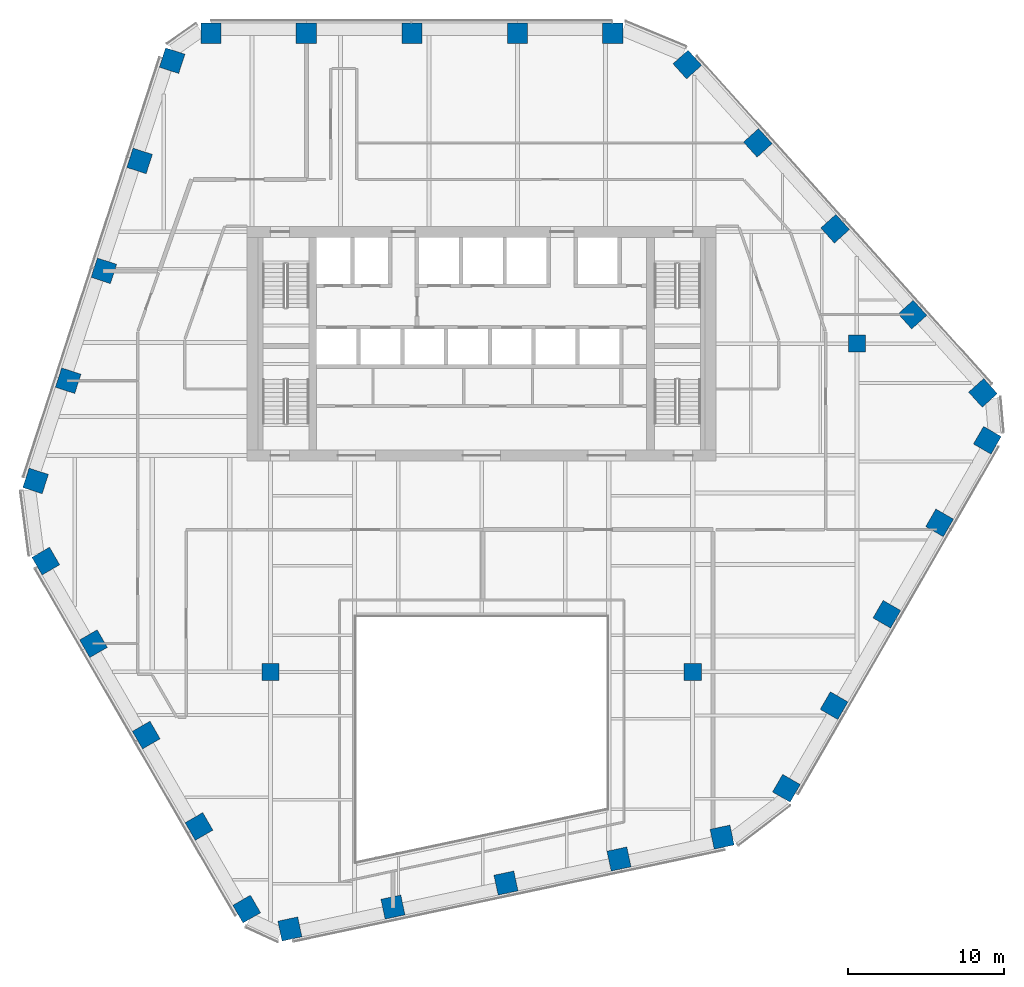
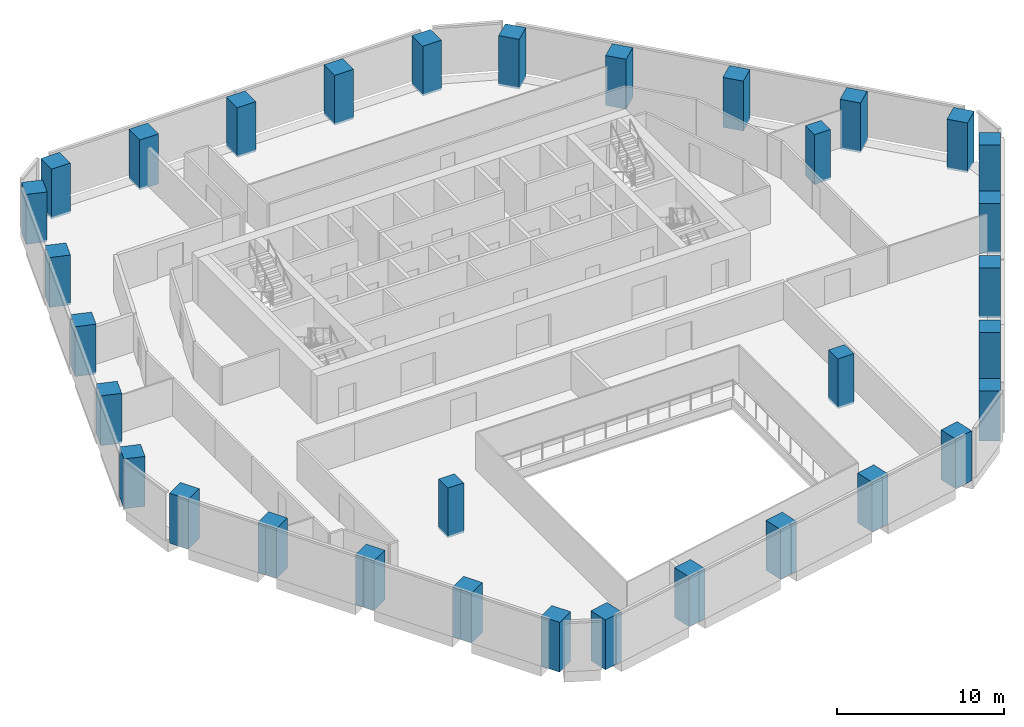
# One storey, part 1 of 16: 33 columns.
"""IFC4 building model written with IfcOpenShell, lengths in metres."""

from ifc_helpers import new_model, si_unit, direction, frame, origin, origin_2d, place, context, subcontext, project, spatial, rectangle, extrude, material, material_profile, profile_set, type_object, element, save


model = new_model("IFC4")

# Units and contexts
model_context = context("Model", 3, precision=1e-05, world=origin(), true_north=direction((0.0, 1.0)))
body_context = subcontext(model_context, "Body", "Model", "MODEL_VIEW")
ifc_project = project(units=[si_unit("LENGTHUNIT", "METRE"), si_unit("AREAUNIT", "SQUARE_METRE"), si_unit("VOLUMEUNIT", "CUBIC_METRE"), si_unit("PLANEANGLEUNIT", "RADIAN"), si_unit("MASSUNIT", "GRAM", prefix="KILO")], contexts=[model_context])

# Site, building, storey
site_placement = place(None, origin())
site = spatial("IfcSite", under=ifc_project, at=site_placement, CompositionType="ELEMENT")
building_placement = place(site_placement, origin())
building = spatial("IfcBuilding", under=site, at=building_placement, Name="Isthmus Gate Tower", CompositionType="ELEMENT")
storey_placement = place(building_placement, frame((0.0, 0.0, 185.39990234375)))
storey = spatial("IfcBuildingStorey", under=building, at=storey_placement, Name="L46", CompositionType="ELEMENT", Elevation=185.39990234375)

# Columns
ifc_material_1 = material(Name="Concrete f'c 60 MPa", Category="concrete")
ifc_material_profile_1 = material_profile(ifc_material_1, rectangle(XDim=1.10009765625, YDim=1.10009765625, at=origin_2d()), Name="RC 1100X1100")
ifc_profile_set_1 = profile_set([ifc_material_profile_1], Name="Concrete f'c 60 MPa")
column_type_1 = type_object("IfcColumnType", Name="RC INTERIOR COLUMN 1100 X 1100", PredefinedType="COLUMN", material=ifc_profile_set_1)
for number, where, z_axis, x_axis, name in (
    (1, (-13.5, -13.5, -0.14990234375), (0.0, 0.0, 1.0), (1.0, 0.0, 0.0), "str-icol-L46-ICB2"),
    (2, (13.5, -13.5, -0.14990234375), (0.0, 0.0, 1.0), (1.0, 0.0, 0.0), "str-icol-L46-ICD2"),
    (3, (24.0, 7.5, -0.14990234375), (0.0, 0.0, 1.0), (1.0, 0.0, 0.0), "str-icol-L46-ICE3"),
):
    element("IfcColumn", number, at=place(storey_placement, frame(where, z_axis=z_axis, x_axis=x_axis)), inside=storey, type_object=column_type_1, Name=name, PredefinedType="COLUMN", context=body_context, shape_type="SweptSolid", body=[
        extrude(rectangle(XDim=1.10009765625, YDim=1.10009765625, at=origin_2d()), origin(), (0.0, 0.0, 1.0), 3.64990234375),
    ])
ifc_material_2 = material(Name="Concrete f'c 60 MPa", Category="concrete")
ifc_material_profile_2 = material_profile(ifc_material_2, rectangle(XDim=1.300048828125, YDim=1.300048828125, at=origin_2d()), Name="RC 1300X1300")
ifc_profile_set_2 = profile_set([ifc_material_profile_2], Name="Concrete f'c 60 MPa")
column_type_2 = type_object("IfcColumnType", Name="RC TUBE COLUMN 1300 X 1300", PredefinedType="COLUMN", material=ifc_profile_set_2)
for number, where, z_axis, x_axis, name in (
    (4, (8.388671875, 27.35009765625, -0.14990234375), (0.0, 0.0, 1.0), (-1.0, 0.0, 0.0), "str-tcol-L46-T2N0"),
    (5, (2.288330078125, 27.35009765625, -0.14990234375), (0.0, 0.0, 1.0), (-1.0, 0.0, 0.0), "str-tcol-L46-T2N1"),
    (6, (-4.461669921875, 27.35009765625, -0.14990234375), (0.0, 0.0, 1.0), (-1.0, 0.0, 0.0), "str-tcol-L46-T2N2"),
    (7, (-11.2119140625, 27.35009765625, -0.14990234375), (0.0, 0.0, 1.0), (-1.0, 0.0, 0.0), "str-tcol-L46-T2N3"),
    (8, (-17.31201171875, 27.35009765625, -0.14990234375), (0.0, 0.0, 1.0), (-1.0, 0.0, 0.0), "str-tcol-L46-T2N4"),
    (9, (-19.797607421875, 25.595947265625, -0.14990234375), (0.0, 0.0, 1.0), (-0.309016994375, -0.951056516295, 0.0), "str-tcol-L46-T2NW0"),
    (10, (-21.880615234375, 19.18505859375, -0.14990234375), (0.0, 0.0, 1.0), (-0.309016994375, -0.951056516295, 0.0), "str-tcol-L46-T2NW1"),
    (11, (-24.164306640625, 12.156005859375, -0.14990234375), (0.0, 0.0, 1.0), (-0.309016994375, -0.951056516295, 0.0), "str-tcol-L46-T2NW2"),
    (12, (-26.4482421875, 5.126953125, -0.14990234375), (0.0, 0.0, 1.0), (-0.309016994375, -0.951056516295, 0.0), "str-tcol-L46-T2NW3"),
    (13, (-28.53125, -1.283935546875, -0.14990234375), (0.0, 0.0, 1.0), (-0.309016994375, -0.951056516295, 0.0), "str-tcol-L46-T2NW4"),
    (14, (-27.880126953125, -6.410400390625, -0.14990234375), (0.0, 0.0, 1.0), (0.5, -0.866025403784, 0.0), "str-tcol-L46-T2SW0"),
    (15, (-24.830078125, -11.693115234375, -0.14990234375), (0.0, 0.0, 1.0), (0.5, -0.866025403784, 0.0), "str-tcol-L46-T2SW1"),
    (16, (-21.454833984375, -17.5390625, -0.14990234375), (0.0, 0.0, 1.0), (0.5, -0.866025403784, 0.0), "str-tcol-L46-T2SW2"),
    (17, (-18.079833984375, -23.384765625, -0.14990234375), (0.0, 0.0, 1.0), (0.5, -0.866025403784, 0.0), "str-tcol-L46-T2SW3"),
    (18, (-15.02978515625, -28.667724609375, -0.14990234375), (0.0, 0.0, 1.0), (0.5, -0.866025403784, 0.0), "str-tcol-L46-T2SW4"),
    (19, (-12.267822265625, -29.943115234375, -0.14990234375), (0.0, 0.0, 1.0), (0.978147600734, 0.207911690818, 0.0), "str-tcol-L46-T2S0"),
    (20, (-5.674560546875, -28.54150390625, -0.14990234375), (0.0, 0.0, 1.0), (0.978147600734, 0.207911690818, 0.0), "str-tcol-L46-T2S1"),
    (21, (1.554931640625, -27.0048828125, -0.14990234375), (0.0, 0.0, 1.0), (0.978147600734, 0.207911690818, 0.0), "str-tcol-L46-T2S2"),
    (22, (8.7841796875, -25.46826171875, -0.14990234375), (0.0, 0.0, 1.0), (0.978147600734, 0.207911690818, 0.0), "str-tcol-L46-T2S3"),
    (23, (15.377685546875, -24.06689453125, -0.14990234375), (0.0, 0.0, 1.0), (0.978147600734, 0.207911690818, 0.0), "str-tcol-L46-T2S4"),
    (24, (19.491455078125, -20.939697265625, -0.14990234375), (0.0, 0.0, 1.0), (0.5, 0.866025403784, 0.0), "str-tcol-L46-T2SE0"),
    (25, (22.54150390625, -15.65673828125, -0.14990234375), (0.0, 0.0, 1.0), (0.5, 0.866025403784, 0.0), "str-tcol-L46-T2SE1"),
    (26, (25.916748046875, -9.81103515625, -0.14990234375), (0.0, 0.0, 1.0), (0.5, 0.866025403784, 0.0), "str-tcol-L46-T2SE2"),
    (27, (29.291748046875, -3.96533203125, -0.14990234375), (0.0, 0.0, 1.0), (0.5, 0.866025403784, 0.0), "str-tcol-L46-T2SE3"),
    (28, (32.341796875, 1.317626953125, -0.14990234375), (0.0, 0.0, 1.0), (0.5, 0.866025403784, 0.0), "str-tcol-L46-T2SE4"),
    (29, (32.0654296875, 4.34716796875, -0.14990234375), (0.0, 0.0, 1.0), (-0.669130606359, 0.743144825477, 0.0), "str-tcol-L46-T2NE0"),
    (30, (27.554931640625, 9.356689453125, -0.14990234375), (0.0, 0.0, 1.0), (-0.669130606359, 0.743144825477, 0.0), "str-tcol-L46-T2NE1"),
    (31, (22.609619140625, 14.84912109375, -0.14990234375), (0.0, 0.0, 1.0), (-0.669130606359, 0.743144825477, 0.0), "str-tcol-L46-T2NE2"),
    (32, (17.6640625, 20.341552734375, -0.14990234375), (0.0, 0.0, 1.0), (-0.669130606359, 0.743144825477, 0.0), "str-tcol-L46-T2NE3"),
    (33, (13.15380859375, 25.350830078125, -0.14990234375), (0.0, 0.0, 1.0), (-0.669130606359, 0.743144825477, 0.0), "str-tcol-L46-T2NE4"),
):
    element("IfcColumn", number, at=place(storey_placement, frame(where, z_axis=z_axis, x_axis=x_axis)), inside=storey, type_object=column_type_2, Name=name, PredefinedType="COLUMN", context=body_context, shape_type="SweptSolid", body=[
        extrude(rectangle(XDim=1.300048828125, YDim=1.300048828125, at=origin_2d()), origin(), (0.0, 0.0, 1.0), 3.64990234375),
    ])

save(model, "model.ifc")
